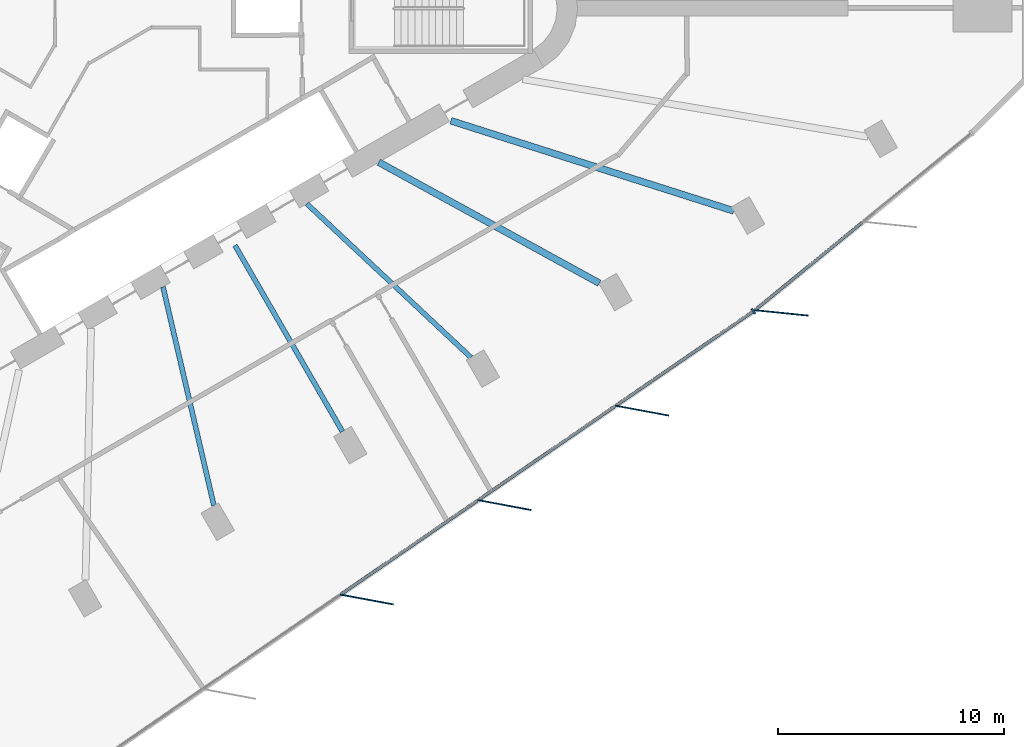
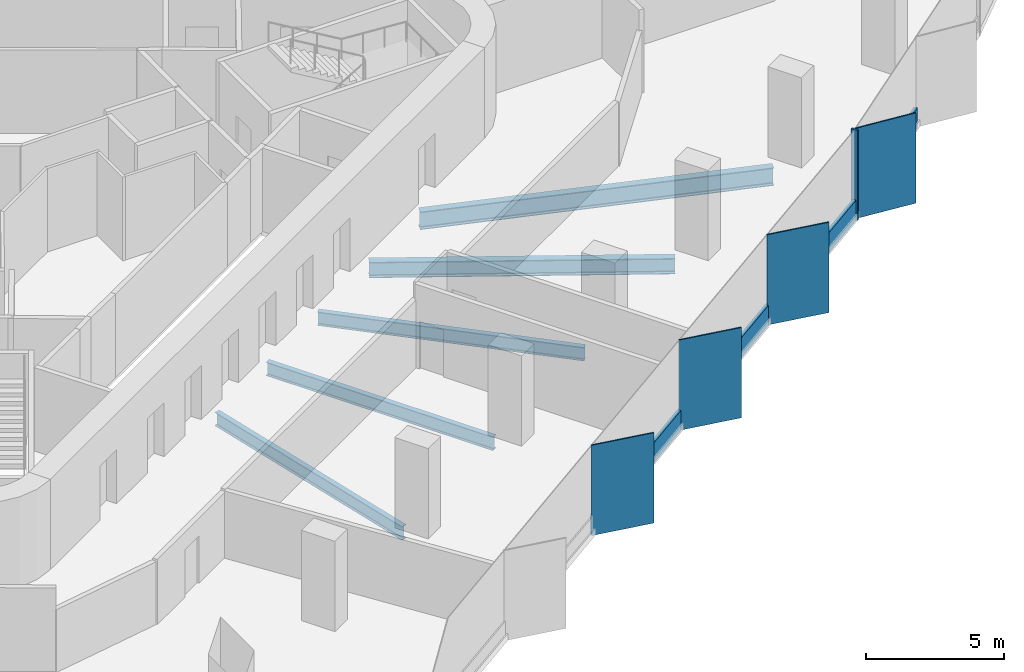
# One storey, part 3 of 13: 9 members, 5 beams, 2 elements without a shape of their own.
"""IFC4 building model written with IfcOpenShell, lengths in metres."""

from ifc_helpers import new_model, si_unit, direction, frame, origin, origin_2d, place, context, subcontext, project, spatial, rectangle, i_section, extrude, material, material_profile, profile_set, type_object, element, aggregate, save


model = new_model("IFC4")

# Units and contexts
model_context = context("Model", 3, precision=1e-05, world=origin(), true_north=direction((0.0, 1.0)))
body_context = subcontext(model_context, "Body", "Model", "MODEL_VIEW")
ifc_project = project(units=[si_unit("LENGTHUNIT", "METRE"), si_unit("AREAUNIT", "SQUARE_METRE"), si_unit("VOLUMEUNIT", "CUBIC_METRE"), si_unit("PLANEANGLEUNIT", "RADIAN"), si_unit("MASSUNIT", "GRAM", prefix="KILO")], contexts=[model_context])

# Site, building, storey
site_placement = place(None, origin())
site = spatial("IfcSite", under=ifc_project, at=site_placement, CompositionType="ELEMENT")
building_placement = place(site_placement, origin())
building = spatial("IfcBuilding", under=site, at=building_placement, Name="Tanit Gate Tower", CompositionType="ELEMENT")
storey_placement = place(building_placement, frame((0.0, 0.0, 201.199951171875)))
storey = spatial("IfcBuildingStorey", under=building, at=storey_placement, Name="L44", CompositionType="ELEMENT", Elevation=201.199951171875)

# Curtain wall, members
ifc_material_1 = material(Name="Aluminium bronze anodised and glass", Category="aluminium")
curtain_wall_type = type_object("IfcCurtainWallType", Name="Curtain wall typical mid", PredefinedType="NOTDEFINED", material=ifc_material_1)
curtain_wall_1_placement = place(storey_placement, origin())
curtain_wall_1 = element("IfcCurtainWall", 1, at=curtain_wall_1_placement, inside=storey, type_object=curtain_wall_type, Name="Curtain wall L44 SE2", PredefinedType="NOTDEFINED")
ifc_material_2 = material(Name="Aluminium bronze anodised", Category="aluminium")
ifc_material_profile_1 = material_profile(ifc_material_2, rectangle(XDim=2.39990234375, YDim=0.055908203125, at=origin_2d()), Name="56x2400 bronze fin mullion")
ifc_profile_set_1 = profile_set([ifc_material_profile_1], Name="Aluminium bronze anodised")
member_type_1 = type_object("IfcMemberType", Name="FIN MULLION 56x2400 bronze", PredefinedType="MULLION", material=ifc_profile_set_1)
member_1_placement = place(storey_placement, frame((11.880126953125, -26.1376953125, -0.300048828125), z_axis=(0.0, 0.0, 1.0), x_axis=(-0.983141287785, 0.182847499991, 0.0)))
member_1 = element("IfcMember", 2, at=member_1_placement, type_object=member_type_1, Name="Fin mullion L44 SE2.3", PredefinedType="MULLION", context=body_context, shape_type="SweptSolid", body=[
    extrude(rectangle(XDim=2.39990234375, YDim=0.055908203125, at=origin_2d()), origin(), (0.0, 0.0, 1.0), 4.0),
])
member_2_placement = place(storey_placement, frame((17.9638671875, -21.962158203125, -0.300048828125), z_axis=(0.0, 0.0, 1.0), x_axis=(-0.983141287785, 0.182847499991, 0.0)))
member_2 = element("IfcMember", 3, at=member_2_placement, type_object=member_type_1, Name="Fin mullion L44 SE2.4", PredefinedType="MULLION", context=body_context, shape_type="SweptSolid", body=[
    extrude(rectangle(XDim=2.39990234375, YDim=0.055908203125, at=origin_2d()), origin(), (0.0, 0.0, 1.0), 4.0),
])
member_3_placement = place(storey_placement, frame((24.047607421875, -17.78662109375, -0.300048828125), z_axis=(0.0, 0.0, 1.0), x_axis=(-0.983141287785, 0.182847499991, 0.0)))
member_3 = element("IfcMember", 4, at=member_3_placement, type_object=member_type_1, Name="Fin mullion L44 SE2.5", PredefinedType="MULLION", context=body_context, shape_type="SweptSolid", body=[
    extrude(rectangle(XDim=2.39990234375, YDim=0.055908203125, at=origin_2d()), origin(), (0.0, 0.0, 1.0), 4.0),
])

# Curtain wall, member
curtain_wall_2_placement = place(storey_placement, origin())
curtain_wall_2 = element("IfcCurtainWall", 5, at=curtain_wall_2_placement, inside=storey, type_object=curtain_wall_type, Name="Curtain wall L44 SE3", PredefinedType="NOTDEFINED")
member_4_placement = place(storey_placement, frame((30.208984375, -13.466064453125, -0.300048828125), z_axis=(0.0, 0.0, 1.0), x_axis=(-0.994923483617, 0.10063429707, 0.0)))
member_4 = element("IfcMember", 6, at=member_4_placement, type_object=member_type_1, Name="Fin mullion L44 SE3.1", PredefinedType="MULLION", context=body_context, shape_type="SweptSolid", body=[
    extrude(rectangle(XDim=2.39990234375, YDim=0.055908203125, at=origin_2d()), origin(), (0.0, 0.0, 1.0), 4.0),
])

# Member
ifc_material_3 = material(Name="Aluminium bronze anodised", Category="aluminium")
ifc_material_profile_2 = material_profile(ifc_material_3, rectangle(XDim=0.260009765625, YDim=0.080078125, at=origin_2d()), Name="80x260 bronze mullion")
ifc_profile_set_2 = profile_set([ifc_material_profile_2], Name="Aluminium bronze anodised")
member_type_2 = type_object("IfcMemberType", Name="Mullion 80x260 typical mid", PredefinedType="MULLION", material=ifc_profile_set_2)
member_5_placement = place(storey_placement, frame((28.972412109375, -13.3955078125, -0.300048828125), z_axis=(0.0, 0.0, 1.0), x_axis=(-0.56589316429, 0.824478578624, 0.0)))
member_5 = element("IfcMember", 7, at=member_5_placement, type_object=member_type_2, Name="Mullion L44 SE2.6", PredefinedType="MULLION", context=body_context, shape_type="SweptSolid", body=[
    extrude(rectangle(XDim=0.260009765625, YDim=0.080078125, at=origin_2d()), origin(), (0.0, 0.0, 1.0), 4.0),
])

# Beams
ifc_material_4 = material(Name="Steel S355", Category="steel")
ifc_material_profile_3 = material_profile(ifc_material_4, i_section(OverallWidth=0.300048828125, OverallDepth=0.68994140625, WebThickness=0.014404296875, FlangeThickness=0.027099609375, FilletRadius=0.027099609375, at=origin_2d()), Name="HEA 700")
ifc_profile_set_3 = profile_set([ifc_material_profile_3], Name="Steel S355")
beam_type_1 = type_object("IfcBeamType", Name="RADIAL GIRDER HEA 700 S355", PredefinedType="BEAM", material=ifc_profile_set_3)
beam_1_placement = place(storey_placement, frame((22.16259765625, -12.152587890625, -0.64501953125), z_axis=(-0.876836895989, 0.480787955165, 0.0), x_axis=(-0.480787955165, -0.876836895989, 0.0)))
element("IfcBeam", 8, at=beam_1_placement, inside=storey, type_object=beam_type_1, Name="RADIAL GIRDER", PredefinedType="BEAM", context=body_context, shape_type="SweptSolid", body=[
    extrude(i_section(OverallWidth=0.300048828125, OverallDepth=0.68994140625, WebThickness=0.014404296875, FlangeThickness=0.027099609375, FilletRadius=0.027099609375, at=origin_2d()), origin(), (0.0, 0.0, 1.0), 11.1181640625),
])
ifc_material_5 = material(Name="Steel S355", Category="steel")
ifc_material_profile_4 = material_profile(ifc_material_5, i_section(OverallWidth=0.300048828125, OverallDepth=0.7900390625, WebThickness=0.014892578125, FlangeThickness=0.028076171875, FilletRadius=0.030029296875, at=origin_2d()), Name="HEA 800")
ifc_profile_set_4 = profile_set([ifc_material_profile_4], Name="Steel S355")
beam_type_2 = type_object("IfcBeamType", Name="RADIAL GIRDER HEA 800 S355", PredefinedType="BEAM", material=ifc_profile_set_4)
beam_2_placement = place(storey_placement, frame((28.107666015625, -8.9580078125, -0.695068359375), z_axis=(-0.952781377786, 0.303657119369, 0.0), x_axis=(-0.303657119369, -0.952781377786, 0.0)))
element("IfcBeam", 9, at=beam_2_placement, inside=storey, type_object=beam_type_2, Name="RADIAL GIRDER", PredefinedType="BEAM", context=body_context, shape_type="SweptSolid", body=[
    extrude(i_section(OverallWidth=0.300048828125, OverallDepth=0.7900390625, WebThickness=0.014892578125, FlangeThickness=0.028076171875, FilletRadius=0.030029296875, at=origin_2d()), origin(), (0.0, 0.0, 1.0), 13.132568359375),
])
ifc_material_6 = material(Name="Steel S355", Category="steel")
ifc_material_profile_5 = material_profile(ifc_material_6, i_section(OverallWidth=0.219970703125, OverallDepth=0.60009765625, WebThickness=0.011962890625, FlangeThickness=0.01904296875, FilletRadius=0.02392578125, at=origin_2d()), Name="IPE 600")
ifc_profile_set_5 = profile_set([ifc_material_profile_5], Name="Steel S355")
beam_type_3 = type_object("IfcBeamType", Name="RADIAL GIRDER IPE 600 S355", PredefinedType="BEAM", material=ifc_profile_set_5)
beam_3_placement = place(storey_placement, frame((5.123046875, -21.990478515625, -0.599853515625), z_axis=(-0.226882255877, 0.973922195028, 0.0), x_axis=(-0.973922195028, -0.226882255877, 0.0)))
element("IfcBeam", 10, at=beam_3_placement, inside=storey, type_object=beam_type_3, Name="RADIAL GIRDER", PredefinedType="BEAM", context=body_context, shape_type="SweptSolid", body=[
    extrude(i_section(OverallWidth=0.219970703125, OverallDepth=0.60009765625, WebThickness=0.011962890625, FlangeThickness=0.01904296875, FilletRadius=0.02392578125, at=origin_2d()), origin(), (0.0, 0.0, 1.0), 9.93212890625),
])
beam_4_placement = place(storey_placement, frame((10.802978515625, -18.711181640625, -0.599853515625), z_axis=(-0.500007084799, 0.866021313335, 0.0), x_axis=(-0.866021313335, -0.500007084799, 0.0)))
element("IfcBeam", 11, at=beam_4_placement, inside=storey, type_object=beam_type_3, Name="RADIAL GIRDER", PredefinedType="BEAM", context=body_context, shape_type="SweptSolid", body=[
    extrude(i_section(OverallWidth=0.219970703125, OverallDepth=0.60009765625, WebThickness=0.011962890625, FlangeThickness=0.01904296875, FilletRadius=0.02392578125, at=origin_2d()), origin(), (0.0, 0.0, 1.0), 9.503662109375),
])
beam_5_placement = place(storey_placement, frame((16.48291015625, -15.431884765625, -0.599853515625), z_axis=(-0.730001567612, 0.6834454706, 0.0), x_axis=(-0.6834454706, -0.730001567612, 0.0)))
element("IfcBeam", 12, at=beam_5_placement, inside=storey, type_object=beam_type_3, Name="RADIAL GIRDER", PredefinedType="BEAM", context=body_context, shape_type="SweptSolid", body=[
    extrude(i_section(OverallWidth=0.219970703125, OverallDepth=0.60009765625, WebThickness=0.011962890625, FlangeThickness=0.01904296875, FilletRadius=0.02392578125, at=origin_2d()), origin(), (0.0, 0.0, 1.0), 9.93212890625),
])

# Member
ifc_material_7 = material(Name="Aluminium bronze anodised", Category="aluminium")
ifc_material_profile_6 = material_profile(ifc_material_7, rectangle(XDim=0.139892578125, YDim=0.89990234375, at=origin_2d()), Name="140x900 bronze transom")
ifc_profile_set_6 = profile_set([ifc_material_profile_6], Name="Aluminium bronze anodised")
member_type_3 = type_object("IfcMemberType", Name="Transom 140x900 typical mid", PredefinedType="USERDEFINED", material=ifc_profile_set_6)
member_6_placement = place(storey_placement, frame((10.75439453125, -25.899658203125, 0.150146484375), z_axis=(0.824471122794, 0.565904026916, 0.0), x_axis=(-0.565904026916, 0.824471122794, 0.0)))
member_6 = element("IfcMember", 13, at=member_6_placement, type_object=member_type_3, Name="Transom L44 SE2.3", ObjectType="TRANSOM", PredefinedType="USERDEFINED", context=body_context, shape_type="SweptSolid", body=[
    extrude(rectangle(XDim=0.139892578125, YDim=0.89990234375, at=origin_2d()), origin(), (0.0, 0.0, 1.0), 7.298828125),
])

member_7_placement = place(storey_placement, frame((16.837890625, -21.723876953125, 0.150146484375), z_axis=(0.824497440623, 0.565865682301, 0.0), x_axis=(-0.565865682301, 0.824497440623, 0.0)))
member_7 = element("IfcMember", 14, at=member_7_placement, type_object=member_type_3, Name="Transom L44 SE2.4", ObjectType="TRANSOM", PredefinedType="USERDEFINED", context=body_context, shape_type="SweptSolid", body=[
    extrude(rectangle(XDim=0.139892578125, YDim=0.89990234375, at=origin_2d()), origin(), (0.0, 0.0, 1.0), 7.298828125),
])

member_8_placement = place(storey_placement, frame((22.921630859375, -17.54833984375, 0.150146484375), z_axis=(0.824481834567, 0.565888420512, 0.0), x_axis=(-0.565888420512, 0.824481834567, 0.0)))
member_8 = element("IfcMember", 15, at=member_8_placement, type_object=member_type_3, Name="Transom L44 SE2.5", ObjectType="TRANSOM", PredefinedType="USERDEFINED", context=body_context, shape_type="SweptSolid", body=[
    extrude(rectangle(XDim=0.139892578125, YDim=0.89990234375, at=origin_2d()), origin(), (0.0, 0.0, 1.0), 7.298828125),
])

aggregate(curtain_wall_1, [member_1, member_2, member_3, member_5, member_6, member_7, member_8])

member_9_placement = place(storey_placement, frame((29.0673828125, -13.322265625, 0.150146484375), z_axis=(0.774653602637, 0.632385796742, 0.0), x_axis=(-0.632385796742, 0.774653602637, 0.0)))
member_9 = element("IfcMember", 16, at=member_9_placement, type_object=member_type_3, Name="Transom L44 SE3.1", ObjectType="TRANSOM", PredefinedType="USERDEFINED", context=body_context, shape_type="SweptSolid", body=[
    extrude(rectangle(XDim=0.139892578125, YDim=0.89990234375, at=origin_2d()), origin(), (0.0, 0.0, 1.0), 6.10400390625),
])

aggregate(curtain_wall_2, [member_4, member_9])

save(model, "model.ifc")
